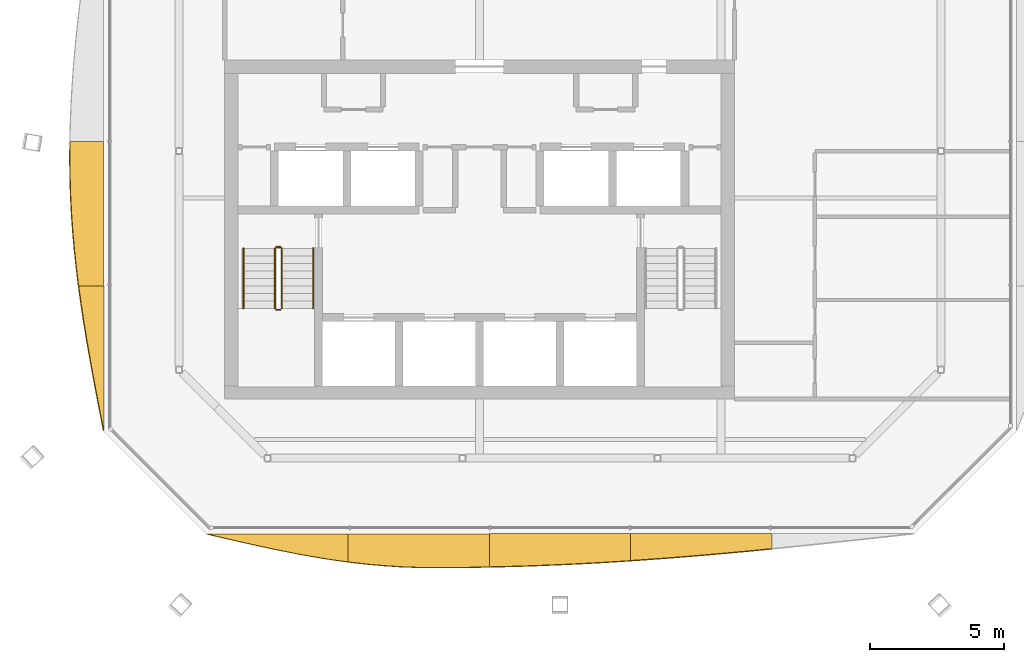
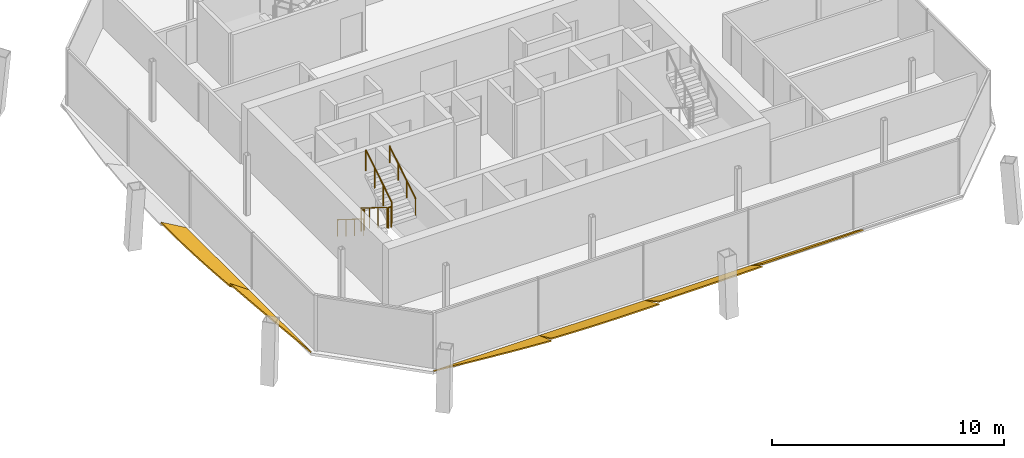
# One storey, part 13 of 16: 6 railings, 6 shading devices.
"""IFC4 building model written with IfcOpenShell, lengths in metres."""

from ifc_helpers import new_model, si_unit, direction, frame, origin, origin_2d, place, context, subcontext, project, spatial, polyline, circle, outline, extrude, material, layer, layer_set, type_object, element, save


model = new_model("IFC4")

# Units and contexts
model_context = context("Model", 3, precision=1e-05, world=origin(), true_north=direction((0.0, 1.0)))
body_context = subcontext(model_context, "Body", "Model", "MODEL_VIEW")
ifc_project = project(units=[si_unit("LENGTHUNIT", "METRE"), si_unit("AREAUNIT", "SQUARE_METRE"), si_unit("VOLUMEUNIT", "CUBIC_METRE"), si_unit("PLANEANGLEUNIT", "RADIAN"), si_unit("MASSUNIT", "GRAM", prefix="KILO")], contexts=[model_context])

# Site, building, storey
site_placement = place(None, origin())
site = spatial("IfcSite", under=ifc_project, at=site_placement, CompositionType="ELEMENT")
building_placement = place(site_placement, origin())
building = spatial("IfcBuilding", under=site, at=building_placement, Name="Tskaro Facet Tower", CompositionType="ELEMENT")
storey_placement = place(building_placement, frame((0.0, 0.0, 262.64990234375)))
storey = spatial("IfcBuildingStorey", under=building, at=storey_placement, Name="L69", CompositionType="ELEMENT", Elevation=262.64990234375)

# Shading devices
ifc_material_1 = material(Name="Bronze anodised aluminium 6063-T6", Category="aluminium")
ifc_layer = layer(ifc_material_1, 0.06005859375, Name="Bronze anodised aluminium 6063-T6")
ifc_layer_set = layer_set([ifc_layer], Name="Bronze anodised aluminium 6063-T6")
shading_device_type = type_object("IfcShadingDeviceType", Name="Bronze sun blade (FN1)", PredefinedType="USERDEFINED", material=ifc_layer_set)
shading_device_1_placement = place(storey_placement, frame((-10.174072265625, -17.0224609375, 0.056396484375), z_axis=(1.2889447e-05, 0.342176670557, 0.93963563468), x_axis=(0.999999999917, -4.410468e-06, -1.2111384e-05)))
element("IfcShadingDevice", 1, at=shading_device_1_placement, inside=storey, type_object=shading_device_type, Name="Fin blade south 1", ObjectType="FIN", PredefinedType="USERDEFINED", context=body_context, shape_type="SweptSolid", body=[
    extrude(outline(polyline([(0.0, 0.0), (5.269775390187245, 0.0), (5.269775390884756, -1.1117705405033163), (4.611083984368071, -1.0125265537628547), (3.9523925793730714, -0.8979099134082325), (3.2934570320614514, -0.770090002193455), (2.63476562611016, -0.63029737550045), (1.976074216877559, -0.4812437617717241), (1.3173828110977368, -0.3250773293137731), (0.6586914044805917, -0.16373805764946026), (0.0, 0.0)])), origin(), (0.0, 0.0, -1.0), 0.06005859375),
])
shading_device_2_placement = place(storey_placement, frame((-4.904296875, -17.017578125, 0.054443359375), z_axis=(6.922304e-06, 0.42264392076, 0.906295821571), x_axis=(0.999999999976, -2.92567e-06, -6.273656e-06)))
element("IfcShadingDevice", 2, at=shading_device_2_placement, inside=storey, type_object=shading_device_type, Name="Fin blade south 2", ObjectType="FIN", PredefinedType="USERDEFINED", context=body_context, shape_type="SweptSolid", body=[
    extrude(outline(polyline([(0.0, 0.0), (5.269531249873746, 0.0), (5.26953125021809, -1.3627850513997244), (4.610839843144124, -1.3752332384236987), (3.9521484384266476, -1.3832125464358536), (3.2934570315738028, -1.3864868172814913), (3.1616210940769616, -1.3864868172814913), (2.6347656243309086, -1.379820196512867), (1.9760742186569502, -1.3528441597854628), (1.3173828123059976, -1.3054406280219293), (0.6586914058892224, -1.2383765766581911), (-8.531030781778497e-11, -1.1529646929377795), (0.0, 0.0)])), origin(), (0.0, 0.0, -1.0), 0.06005859375),
])
shading_device_3_placement = place(storey_placement, frame((0.365234375, -17.012939453125, 0.052001953125), z_axis=(-1.2611997e-05, 0.500035776838, 0.86600474694), x_axis=(0.99999999992, 6.30645e-06, 1.0922049e-05)))
element("IfcShadingDevice", 3, at=shading_device_3_placement, inside=storey, type_object=shading_device_type, Name="Fin blade south 3", ObjectType="FIN", PredefinedType="USERDEFINED", context=body_context, shape_type="SweptSolid", body=[
    extrude(outline(polyline([(0.0, 0.0), (5.269531249580908, 4.463466585336137e-21), (5.269531251170722, -1.1579019430469544), (4.610839842596907, -1.2065646293612777), (3.9521484373255333, -1.2508678522558827), (3.2934570307376196, -1.2914458925513321), (2.634765626325292, -1.327330963439786), (1.9760742168030534, -1.359035266694718), (1.317382812122917, -1.386168679589744), (0.658691406951851, -1.408487044030685), (-2.4980502034800743e-10, -1.4262017869577286), (0.0, 0.0)])), origin(), (0.0, 0.0, -1.0), 0.06005859375),
])
shading_device_4_placement = place(storey_placement, frame((5.634765625, -17.008544921875, 0.04931640625), z_axis=(1.6926916e-05, 0.573516133854, 0.819194265069), x_axis=(0.999999999857, -9.707859e-06, -1.3866432e-05)))
element("IfcShadingDevice", 4, at=shading_device_4_placement, inside=storey, type_object=shading_device_type, Name="Fin blade south 4", ObjectType="FIN", PredefinedType="USERDEFINED", context=body_context, shape_type="SweptSolid", body=[
    extrude(outline(polyline([(0.0, 0.0), (5.269531249245086, 0.0), (5.269531249327825, -0.6836666395117098), (4.610839841227753, -0.7618296927644421), (3.9521484378645333, -0.8374126271062743), (3.2934570311126428, -0.9101554639247946), (2.6347656243574393, -0.9799181846326166), (1.9760742186142015, -1.0463607720424541), (1.317382813882927, -1.1094832261543073), (0.6586914064387286, -1.168545532581092), (-2.3635884090252436e-09, -1.2240877071099932), (0.0, 0.0)])), origin(), (0.0, 0.0, -1.0), 0.06005859375),
])
shading_device_5_placement = place(storey_placement, frame((-14.012939453125, -2.3916015625, 0.052001953125), z_axis=(0.50000633329, 6.314715e-06, 0.866021747204), x_axis=(3.157397e-06, -0.99999999998, 5.46868e-06)))
element("IfcShadingDevice", 5, at=shading_device_5_placement, inside=storey, type_object=shading_device_type, Name="Fin blade west 3", ObjectType="FIN", PredefinedType="USERDEFINED", context=body_context, shape_type="SweptSolid", body=[
    extrude(outline(polyline([(0.0, 0.0), (5.3911132811425135, 0.0), (5.3911132814319735, -1.0760788495449571), (4.7172851568125065, -1.1716800735768793), (4.043457030832812, -1.2544709583451177), (3.369384765180443, -1.3238172105777815), (2.6955566401834052, -1.3785068903362028), (2.0217285159875518, -1.4183285665297514), (1.3476562495042044, -1.4424931614010195), (0.6738281254244565, -1.4510333875768089), (0.6467285160499968, -1.4510333875768089), (-1.6665397554443132e-10, -1.4453399034596162), (0.0, 0.0)])), origin(), (0.0, 0.0, -1.0), 0.06005859375),
])
shading_device_6_placement = place(storey_placement, frame((-14.008544921875, -7.78271484375, 0.04931640625), z_axis=(0.573464039008, -4.486097e-06, 0.819230734253), x_axis=(-2.572615e-06, -0.99999999999, -3.675148e-06)))
element("IfcShadingDevice", 6, at=shading_device_6_placement, inside=storey, type_object=shading_device_type, Name="Fin blade west 4", ObjectType="FIN", PredefinedType="USERDEFINED", context=body_context, shape_type="SweptSolid", body=[
    extrude(outline(polyline([(0.0, 0.0), (5.391357421820749, 0.0), (4.717285157011545, -0.15990623020712513), (4.0434570311225375, -0.31799239028317894), (3.36962890639993, -0.472618415000835), (2.695556640244749, -0.6223042476014038), (2.0217285155220304, -0.7650098078505954), (1.347900390260882, -0.899455046493202), (0.6738281249129995, -1.0242799100396969), (-7.916934416255048e-11, -1.1375243224901093), (0.0, 0.0)])), origin(), (0.0, 0.0, -1.0), 0.06005859375),
])

# Railings
ifc_material_2 = material(Name="Stainless steel", Category="steel")
railing_type_1 = type_object("IfcRailingType", Name="RL-GUARD-1100", PredefinedType="GUARDRAIL", material=ifc_material_2)
railing_1_placement = place(storey_placement, frame((-7.625, -6.375, 0.175048828125)))
element("IfcRailing", 7, at=railing_1_placement, inside=storey, type_object=railing_type_1, Name="L69 ST-1 stair guard 1", PredefinedType="GUARDRAIL", context=body_context, shape_type="SweptSolid", body=[
    extrude(circle(Radius=0.02392578125, at=origin_2d()), frame((0.0, 0.0, 1.076171875), z_axis=(0.0, -0.847972341737, 0.530040477369), x_axis=(1.0, 0.0, 0.0)), (0.0, 0.0, 1.0), 2.6416015625),
    extrude(circle(Radius=0.02099609375, at=origin_2d()), origin(), (0.0, 0.0, 1.0), 1.052001953125),
    extrude(circle(Radius=0.02099609375, at=origin_2d()), frame((0.0, -0.74658203125, 0.466796875)), (0.0, 0.0, 1.0), 1.052001953125),
    extrude(circle(Radius=0.02099609375, at=origin_2d()), frame((0.0, -1.493408203125, 0.933349609375)), (0.0, 0.0, 1.0), 1.052001953125),
    extrude(circle(Radius=0.02099609375, at=origin_2d()), frame((0.0, -2.239990234375, 1.400146484375)), (0.0, 0.0, 1.0), 1.052001953125),
])
railing_2_placement = place(storey_placement, frame((-7.574951171875, -8.6650390625, 1.5751953125)))
element("IfcRailing", 8, at=railing_2_placement, inside=storey, type_object=railing_type_1, Name="L69 ST-1 stair guard 2", PredefinedType="GUARDRAIL", context=body_context, shape_type="SweptSolid", body=[
    extrude(circle(Radius=0.02392578125, at=origin_2d()), frame((0.0, 0.0, 1.076171875), z_axis=(1.0, 0.0, 0.0), x_axis=(0.0, 1.0, 0.0)), (0.0, 0.0, 1.0), 0.14990234375),
    extrude(circle(Radius=0.02099609375, at=origin_2d()), origin(), (0.0, 0.0, 1.0), 1.052001953125),
    extrude(circle(Radius=0.02099609375, at=origin_2d()), frame((0.14990234375, 0.0, 0.0)), (0.0, 0.0, 1.0), 1.052001953125),
])
railing_3_placement = place(storey_placement, frame((-7.375, -8.614990234375, 1.75)))
element("IfcRailing", 9, at=railing_3_placement, inside=storey, type_object=railing_type_1, Name="L69 ST-1 stair guard 3", PredefinedType="GUARDRAIL", context=body_context, shape_type="SweptSolid", body=[
    extrude(circle(Radius=0.02392578125, at=origin_2d()), frame((0.0, 0.0, 1.076171875), z_axis=(0.0, 0.847972341737, 0.530040477369), x_axis=(-1.0, 0.0, 0.0)), (0.0, 0.0, 1.0), 2.6416015625),
    extrude(circle(Radius=0.02099609375, at=origin_2d()), origin(), (0.0, 0.0, 1.0), 1.052001953125),
    extrude(circle(Radius=0.02099609375, at=origin_2d()), frame((0.0, 0.74658203125, 0.466796875)), (0.0, 0.0, 1.0), 1.052001953125),
    extrude(circle(Radius=0.02099609375, at=origin_2d()), frame((0.0, 1.493408203125, 0.933349609375)), (0.0, 0.0, 1.0), 1.052001953125),
    extrude(circle(Radius=0.02099609375, at=origin_2d()), frame((0.0, 2.239990234375, 1.400146484375)), (0.0, 0.0, 1.0), 1.052001953125),
])
railing_4_placement = place(storey_placement, frame((-7.574951171875, -6.324951171875, 0.0)))
element("IfcRailing", 10, at=railing_4_placement, inside=storey, type_object=railing_type_1, Name="L69 ST-1 stair guard 4", PredefinedType="GUARDRAIL", context=body_context, shape_type="SweptSolid", body=[
    extrude(circle(Radius=0.02392578125, at=origin_2d()), frame((0.0, 0.0, 1.076171875), z_axis=(1.0, 0.0, 0.0), x_axis=(0.0, 1.0, 0.0)), (0.0, 0.0, 1.0), 0.14990234375),
    extrude(circle(Radius=0.02099609375, at=origin_2d()), origin(), (0.0, 0.0, 1.0), 1.052001953125),
    extrude(circle(Radius=0.02099609375, at=origin_2d()), frame((0.14990234375, 0.0, 0.0)), (0.0, 0.0, 1.0), 1.052001953125),
])
railing_type_2 = type_object("IfcRailingType", Name="RL-HANDRAIL-900", PredefinedType="HANDRAIL", material=ifc_material_2)
railing_5_placement = place(storey_placement, frame((-8.800048828125, -6.375, 0.175048828125)))
element("IfcRailing", 11, at=railing_5_placement, inside=storey, type_object=railing_type_2, Name="L69 ST-1 stair handrail 1", PredefinedType="HANDRAIL", context=body_context, shape_type="SweptSolid", body=[
    extrude(circle(Radius=0.02392578125, at=origin_2d()), frame((0.0, 0.0, 0.8759765625), z_axis=(0.0, -0.847972341737, 0.530040477369), x_axis=(1.0, 0.0, 0.0)), (0.0, 0.0, 1.0), 2.6416015625),
    extrude(circle(Radius=0.02099609375, at=origin_2d()), origin(), (0.0, 0.0, 1.0), 0.851806640625),
    extrude(circle(Radius=0.02099609375, at=origin_2d()), frame((0.0, -0.74658203125, 0.466796875)), (0.0, 0.0, 1.0), 0.851806640625),
    extrude(circle(Radius=0.02099609375, at=origin_2d()), frame((0.0, -1.493408203125, 0.933349609375)), (0.0, 0.0, 1.0), 0.851806640625),
    extrude(circle(Radius=0.02099609375, at=origin_2d()), frame((0.0, -2.239990234375, 1.400146484375)), (0.0, 0.0, 1.0), 0.851806640625),
])
railing_6_placement = place(storey_placement, frame((-6.199951171875, -8.614990234375, 1.75)))
element("IfcRailing", 12, at=railing_6_placement, inside=storey, type_object=railing_type_2, Name="L69 ST-1 stair handrail 2", PredefinedType="HANDRAIL", context=body_context, shape_type="SweptSolid", body=[
    extrude(circle(Radius=0.02392578125, at=origin_2d()), frame((0.0, 0.0, 0.8759765625), z_axis=(0.0, 0.847972341737, 0.530040477369), x_axis=(-1.0, 0.0, 0.0)), (0.0, 0.0, 1.0), 2.6416015625),
    extrude(circle(Radius=0.02099609375, at=origin_2d()), origin(), (0.0, 0.0, 1.0), 0.851806640625),
    extrude(circle(Radius=0.02099609375, at=origin_2d()), frame((0.0, 0.74658203125, 0.466796875)), (0.0, 0.0, 1.0), 0.851806640625),
    extrude(circle(Radius=0.02099609375, at=origin_2d()), frame((0.0, 1.493408203125, 0.933349609375)), (0.0, 0.0, 1.0), 0.851806640625),
    extrude(circle(Radius=0.02099609375, at=origin_2d()), frame((0.0, 2.239990234375, 1.400146484375)), (0.0, 0.0, 1.0), 0.851806640625),
])

save(model, "model.ifc")
